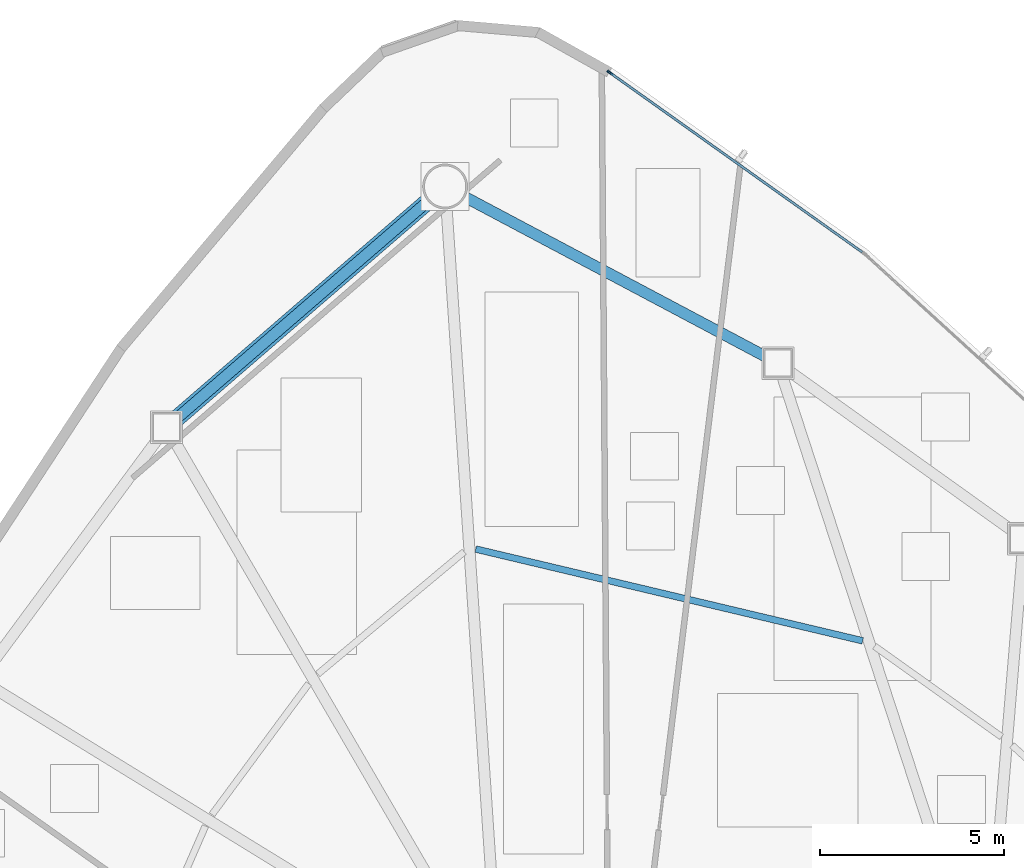
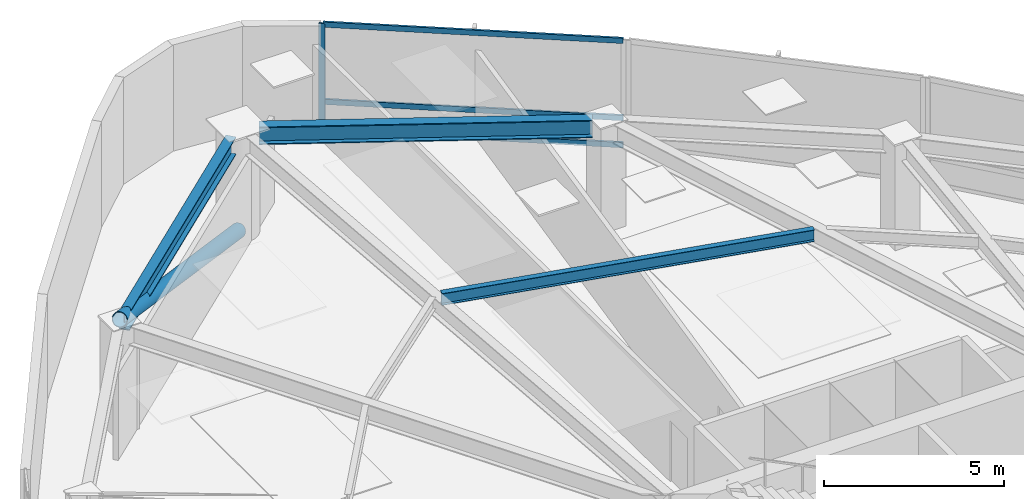
# One storey, part 9 of 18: 5 members, 3 beams, 1 element without a shape of its own.
"""IFC4 building model written with IfcOpenShell, lengths in metres."""

from ifc_helpers import new_model, si_unit, direction, frame, origin, origin_2d, place, context, subcontext, project, spatial, hollow_rectangle, hollow_circle, i_section, extrude, source, transform, mapped, material, layer, layer_set, material_profile, profile_set, type_object, type_shapes, element, aggregate, save


model = new_model("IFC4")

# Units and contexts
model_context = context("Model", 3, precision=1e-05, world=origin(), true_north=direction((0.0, 1.0)))
body_context = subcontext(model_context, "Body", "Model", "MODEL_VIEW")
ifc_project = project(units=[si_unit("LENGTHUNIT", "METRE"), si_unit("AREAUNIT", "SQUARE_METRE"), si_unit("VOLUMEUNIT", "CUBIC_METRE"), si_unit("PLANEANGLEUNIT", "RADIAN"), si_unit("MASSUNIT", "GRAM", prefix="KILO")], contexts=[model_context])

# Site, building, storey
site_placement = place(None, origin())
site = spatial("IfcSite", under=ifc_project, at=site_placement, CompositionType="ELEMENT")
building_placement = place(site_placement, origin())
building = spatial("IfcBuilding", under=site, at=building_placement, Name="Tavelor Broadcast Tower", CompositionType="ELEMENT")
storey_placement = place(building_placement, frame((0.0, 0.0, 54.89990234375)))
storey = spatial("IfcBuildingStorey", under=building, at=storey_placement, Name="L12", CompositionType="ELEMENT", Elevation=54.89990234375)

# Beams
ifc_material_1 = material(Name="Steel S355", Category="steel")
ifc_material_profile_1 = material_profile(ifc_material_1, i_section(OverallWidth=0.179931640625, OverallDepth=0.39990234375, WebThickness=0.008544921875, FlangeThickness=0.013427734375, at=origin_2d()), Name="IPE 400")
ifc_profile_set_1 = profile_set([ifc_material_profile_1], Name="Steel S355")
beam_type_1 = type_object("IfcBeamType", Name="Composite Floor Joist T1 IPE 400", PredefinedType="JOIST", material=ifc_profile_set_1)
beam_1_placement = place(storey_placement, frame((53.260986328125, 60.9287109375, 3.400146484375), z_axis=(-0.973012053378, 0.230754293526, 0.0), x_axis=(-0.230754293526, -0.973012053378, 0.0)))
element("IfcBeam", 1, at=beam_1_placement, inside=storey, type_object=beam_type_1, Name="L12 Secondary Composite Floor Joist 18", PredefinedType="JOIST", context=body_context, shape_type="SweptSolid", body=[
    extrude(i_section(OverallWidth=0.179931640625, OverallDepth=0.39990234375, WebThickness=0.008544921875, FlangeThickness=0.013427734375, at=origin_2d()), origin(), (0.0, 0.0, 1.0), 10.797119140625),
])
ifc_material_profile_2 = material_profile(ifc_material_1, i_section(OverallWidth=0.300048828125, OverallDepth=0.60009765625, WebThickness=0.015380859375, FlangeThickness=0.030029296875, at=origin_2d()), Name="HEB 600")
ifc_profile_set_2 = profile_set([ifc_material_profile_2], Name="Steel S355")
beam_type_2 = type_object("IfcBeamType", Name="Perimeter Spandrel Beam T1 HEB 600", PredefinedType="SPANDREL", material=ifc_profile_set_2)
beam_2_placement = place(storey_placement, frame((41.48046875, 72.8837890625, 3.300048828125), z_axis=(-0.756663126242, -0.653804950566, 0.0), x_axis=(0.653804950566, -0.756663126242, 0.0)))
element("IfcBeam", 2, at=beam_2_placement, inside=storey, type_object=beam_type_2, Name="L12 Framed-Tube Ring Spandrel 01", PredefinedType="SPANDREL", context=body_context, shape_type="SweptSolid", body=[
    extrude(i_section(OverallWidth=0.300048828125, OverallDepth=0.60009765625, WebThickness=0.015380859375, FlangeThickness=0.030029296875, at=origin_2d()), origin(), (0.0, 0.0, 1.0), 9.031494140625),
])
beam_3_placement = place(storey_placement, frame((50.62255859375, 68.648681640625, 3.300048828125), z_axis=(-0.883283542259, 0.468839187755, 0.0), x_axis=(-0.468839187755, -0.883283542259, 0.0)))
element("IfcBeam", 3, at=beam_3_placement, inside=storey, type_object=beam_type_2, Name="L12 Framed-Tube Ring Spandrel 18", PredefinedType="SPANDREL", context=body_context, shape_type="SweptSolid", body=[
    extrude(i_section(OverallWidth=0.300048828125, OverallDepth=0.60009765625, WebThickness=0.015380859375, FlangeThickness=0.030029296875, at=origin_2d()), origin(), (0.0, 0.0, 1.0), 9.263916015625),
])

# Member
ifc_material_profile_3 = material_profile(ifc_material_1, hollow_circle(Radius=0.228515625, WallThickness=0.02001953125, at=origin_2d()), Name="CHS 457x20")
ifc_profile_set_3 = profile_set([ifc_material_profile_3], Name="Steel S355")
member_type_1 = type_object("IfcMemberType", Name="Perimeter Tube Brace T1 CHS 457x20", PredefinedType="BRACE", material=ifc_profile_set_3)
member_1_placement = place(storey_placement, frame((41.923095703125, 73.266357421875, 0.0), z_axis=(-0.711923189295, -0.615174771108, 0.338711342497), x_axis=(0.653821967179, -0.756648422475, 0.0)))
element("IfcMember", 4, at=member_1_placement, inside=storey, type_object=member_type_1, Name="L12 Corner Tube Diagonal Brace 1", PredefinedType="BRACE", context=body_context, shape_type="SweptSolid", body=[
    extrude(hollow_circle(Radius=0.228515625, WallThickness=0.02001953125, at=origin_2d()), origin(), (0.0, 0.0, 1.0), 10.62890625),
])

# Curtain wall, members
ifc_material_2 = material(Name="Architectural Anodized Aluminium", Category="aluminium")
ifc_layer = layer(ifc_material_2, 0.179931640625)
ifc_layer_set = layer_set([ifc_layer], Name="Architectural Anodized Aluminium")
curtain_wall_type = type_object("IfcCurtainWallType", Name="Tower Low-Zone Unitised Curtain Wall CW02", PredefinedType="NOTDEFINED", material=ifc_layer_set)
curtain_wall_placement = place(storey_placement, origin())
curtain_wall = element("IfcCurtainWall", 5, at=curtain_wall_placement, inside=storey, type_object=curtain_wall_type, Name="L12 Curtain Wall CW02 Run 108", PredefinedType="NOTDEFINED")
ifc_material_profile_4 = material_profile(ifc_material_2, hollow_rectangle(XDim=0.06494140625, YDim=0.179931640625, WallThickness=0.02197265625, at=origin_2d()), Name="RHS 65x180x22")
ifc_profile_set_4 = profile_set([ifc_material_profile_4], Name="Architectural Anodized Aluminium")
member_type_2 = type_object("IfcMemberType", Name="CW02 Extruded Aluminium Mullion 65x180", PredefinedType="MULLION", material=ifc_profile_set_4)
shared_shape_1 = source(origin(), body_context, "Body", "SweptSolid", [
    extrude(hollow_rectangle(XDim=0.06494140625, YDim=0.179931640625, WallThickness=0.02197265625, at=origin_2d()), origin(), (0.0, 0.0, 1.0), 3.60009765625),
])
type_shapes(member_type_2, [shared_shape_1])
member_2_placement = place(storey_placement, frame((46.400146484375, 76.353759765625, 0.0), z_axis=(0.0, 0.0, 1.0), x_axis=(-0.579622725529, -0.814884958783, 0.0)))
member_2 = element("IfcMember", 6, at=member_2_placement, type_object=member_type_2, Name="CW02 mullion 2", PredefinedType="MULLION", context=body_context, shape_type="MappedRepresentation", body=[
    mapped(shared_shape_1, transform((0.0, 0.0, 0.0), scale=1.0)),
])
ifc_material_profile_5 = material_profile(ifc_material_2, hollow_rectangle(XDim=0.06494140625, YDim=0.179931640625, WallThickness=0.02197265625, at=origin_2d()), Name="RHS 65x180x22")
ifc_profile_set_5 = profile_set([ifc_material_profile_5], Name="Architectural Anodized Aluminium")
member_type_3 = type_object("IfcMemberType", Name="CW02 Extruded Aluminium Transom 65x180", PredefinedType="USERDEFINED", material=ifc_profile_set_5)
shared_shape_2 = source(origin(), body_context, "Body", "SweptSolid", [
    extrude(hollow_rectangle(XDim=0.06494140625, YDim=0.179931640625, WallThickness=0.02197265625, at=origin_2d()), origin(), (0.0, 0.0, 1.0), 8.372314453125),
])
type_shapes(member_type_3, [shared_shape_2])
member_3_placement = place(storey_placement, frame((53.2490234375, 71.482177734375, 0.03271484375), z_axis=(-0.814886458651, 0.579620616876, 0.0), x_axis=(-0.579620616876, -0.814886458651, 0.0)))
member_3 = element("IfcMember", 7, at=member_3_placement, type_object=member_type_3, Name="CW02 transom 1.1", ObjectType="TRANSOM", PredefinedType="USERDEFINED", context=body_context, shape_type="MappedRepresentation", body=[
    mapped(shared_shape_2, transform((0.0, 0.0, 0.0), scale=1.0)),
])
member_4_placement = place(storey_placement, frame((53.2490234375, 71.482177734375, 0.9501953125), z_axis=(-0.814886458651, 0.579620616876, 0.0), x_axis=(-0.579620616876, -0.814886458651, 0.0)))
member_4 = element("IfcMember", 8, at=member_4_placement, type_object=member_type_3, Name="CW02 transom 1.2", ObjectType="TRANSOM", PredefinedType="USERDEFINED", context=body_context, shape_type="MappedRepresentation", body=[
    mapped(shared_shape_2, transform((0.0, 0.0, 0.0), scale=1.0)),
])
member_5_placement = place(storey_placement, frame((53.2490234375, 71.482177734375, 3.567626953125), z_axis=(-0.814886458651, 0.579620616876, 0.0), x_axis=(-0.579620616876, -0.814886458651, 0.0)))
member_5 = element("IfcMember", 9, at=member_5_placement, type_object=member_type_3, Name="CW02 transom 1.3", ObjectType="TRANSOM", PredefinedType="USERDEFINED", context=body_context, shape_type="MappedRepresentation", body=[
    mapped(shared_shape_2, transform((0.0, 0.0, 0.0), scale=1.0)),
])
aggregate(curtain_wall, [member_2, member_3, member_4, member_5])

save(model, "model.ifc")
